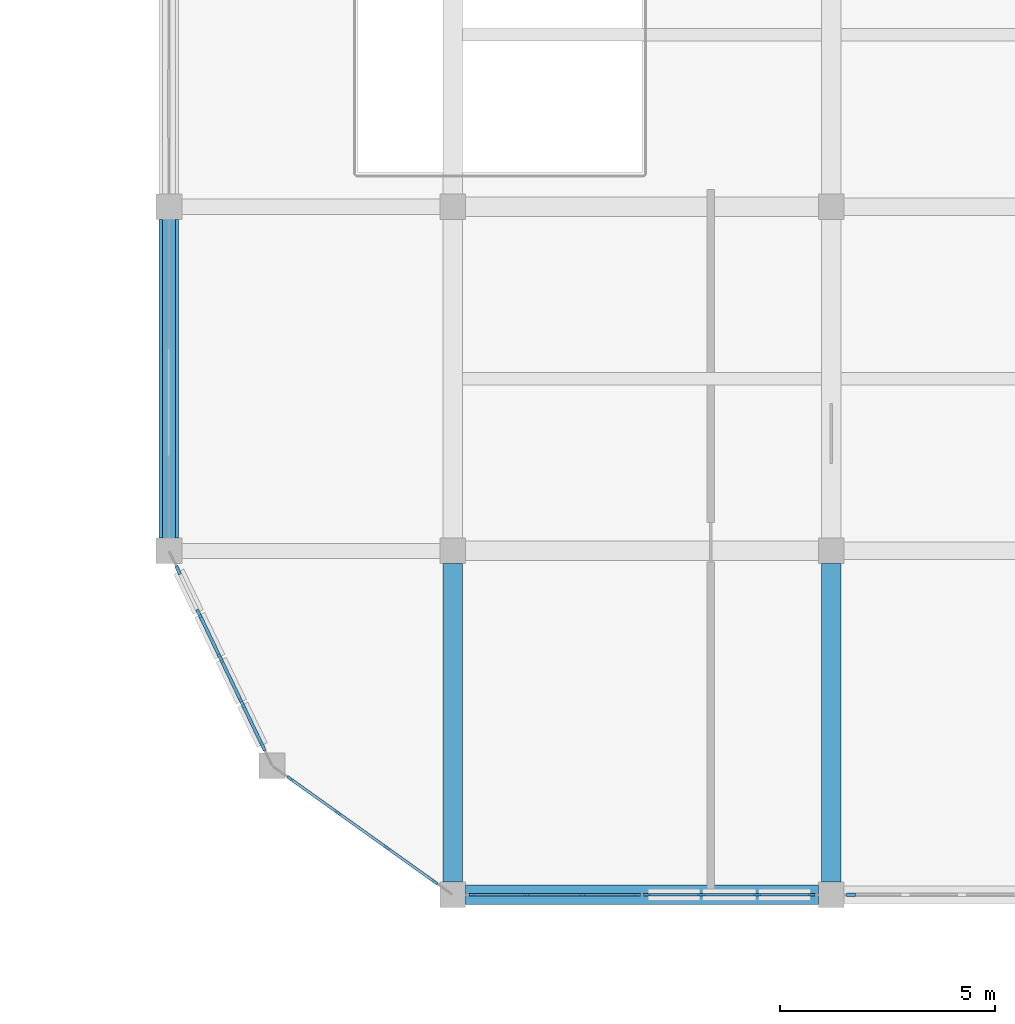
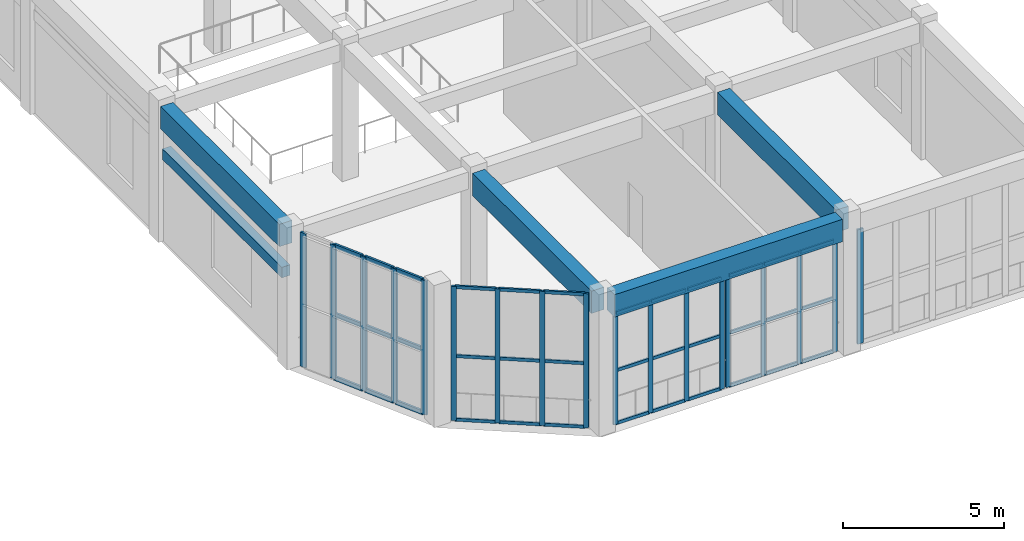
# One storey, part 21 of 64: 54 members, 5 beams, 5 elements without a shape of their own.
"""IFC4 building model written with IfcOpenShell, lengths in metres."""

import ifcopenshell
import ifcopenshell.guid

model = None  # the IFC model being written
_history = None  # IfcOwnerHistory: only IFC2X3 demands one
_inside = {}  # id of a spatial element -> (the spatial element, [elements in it])
_under = {}  # id of a project, library or spatial element -> (it, [spatial elements below it])
_declared = {}  # id of a project -> (the project, [libraries it declares])
_typed = {}  # id of a type object -> (the type object, [elements of that type])
_made_of = {}  # id of a material, layer set ... -> (it, [elements and type objects made of it])


def new_model(schema):
    """Start an empty IFC model of exactly this schema.

    Asked for "IFC4X3", IfcOpenShell would pick the latest addendum, in which some entities
    have other attributes; the version numbers below select the first issue.
    IFC2X3 requires an IfcOwnerHistory on every rooted entity: one is made here for all.
    """
    global model, _history
    if schema == "IFC4X3":
        model = ifcopenshell.file(schema_version=(4, 3, 0, 0))
    else:
        model = ifcopenshell.file(schema=schema)
    _inside.clear()
    _under.clear()
    _declared.clear()
    _typed.clear()
    _made_of.clear()
    _history = None
    if model.schema == "IFC2X3":
        org = make("IfcOrganization", Name="unknown")
        user = make(
            "IfcPersonAndOrganization",
            ThePerson=make("IfcPerson", FamilyName="unknown"),
            TheOrganization=org,
        )
        app = make(
            "IfcApplication",
            ApplicationDeveloper=org,
            Version="unknown",
            ApplicationFullName="unknown",
            ApplicationIdentifier="unknown",
        )
        _history = make(
            "IfcOwnerHistory",
            OwningUser=user,
            OwningApplication=app,
            ChangeAction="ADDED",
            CreationDate=0,
        )
    return model


def make(cls, **values):
    """One entity of the class cls with the attributes given. An attribute that is None is left unset."""
    return model.create_entity(
        cls, **{name: value for name, value in values.items() if value is not None}
    )


def rooted(cls, **values):
    """An entity with a GlobalId (a new one), such as an element, a storey or a relation."""
    return make(cls, GlobalId=ifcopenshell.guid.new(), OwnerHistory=_history, **values)


def si_unit(unit_type, name, prefix=None):
    """IfcSIUnit, for example si_unit("LENGTHUNIT", "METRE", prefix="MILLI")."""
    return make("IfcSIUnit", UnitType=unit_type, Prefix=prefix, Name=name)


def assignment(units):
    """IfcUnitAssignment: the units of a project."""
    return None if units is None else make("IfcUnitAssignment", Units=units)


def point(xyz):
    """IfcCartesianPoint."""
    return None if xyz is None else make("IfcCartesianPoint", Coordinates=xyz)


def direction(xyz):
    """IfcDirection."""
    return None if xyz is None else make("IfcDirection", DirectionRatios=xyz)


def frame(location, z_axis=None, x_axis=None):
    """IfcAxis2Placement3D, a coordinate frame: its origin and axes. An axis left out is left unset."""
    return make(
        "IfcAxis2Placement3D",
        Location=point(location),
        Axis=direction(z_axis),
        RefDirection=direction(x_axis),
    )


def frame_2d(location, x_axis=None):
    """IfcAxis2Placement2D, a coordinate frame in the plane: its origin and x axis."""
    return make(
        "IfcAxis2Placement2D", Location=point(location), RefDirection=direction(x_axis)
    )


def origin():
    """The frame at (0, 0, 0) with its axes left unset."""
    return frame((0.0, 0.0, 0.0))


def origin_2d():
    """The frame at (0, 0) in the plane with its x axis left unset."""
    return frame_2d((0.0, 0.0))


def place(relative_to, where):
    """IfcLocalPlacement: puts the frame where relative to a parent placement (None: the world)."""
    return make(
        "IfcLocalPlacement", PlacementRelTo=relative_to, RelativePlacement=where
    )


def context(
    kind, dimensions, precision=None, world=None, true_north=None, identifier=None
):
    """IfcGeometricRepresentationContext, for example the 3D "Model" context."""
    return make(
        "IfcGeometricRepresentationContext",
        ContextIdentifier=identifier,
        ContextType=kind,
        CoordinateSpaceDimension=dimensions,
        Precision=precision,
        WorldCoordinateSystem=world,
        TrueNorth=true_north,
    )


def subcontext(parent, identifier, kind, view, scale=None):
    """IfcGeometricRepresentationSubContext, for example "Body" below "Model"."""
    return make(
        "IfcGeometricRepresentationSubContext",
        ContextIdentifier=identifier,
        ContextType=kind,
        ParentContext=parent,
        TargetScale=scale,
        TargetView=view,
    )


def project(units=None, contexts=None):
    """IfcProject with its units and contexts."""
    return rooted(
        "IfcProject",
        Name="project",
        RepresentationContexts=contexts,
        UnitsInContext=assignment(units),
    )


def spatial(cls, under=None, at=None, **own):
    """A site, building, storey or space (cls), placed at a placement, below another one or the project."""
    s = rooted(cls, ObjectPlacement=at, **own)
    if under is not None:
        _under.setdefault(under.id(), (under, []))[1].append(s)
    return s


def profile(cls, at=None, kind="AREA", **sizes):
    """A parametric profile (cls). Its sizes go by their IFC names, for example OverallWidth=200.0."""
    return make(cls, ProfileType=kind, Position=at, **sizes)


def rectangle(**sizes):
    """IfcRectangleProfileDef."""
    return profile("IfcRectangleProfileDef", **sizes)


def extrude(swept, where, along, depth):
    """IfcExtrudedAreaSolid: the profile swept, set in the frame where, extruded along a direction by depth."""
    return make(
        "IfcExtrudedAreaSolid",
        SweptArea=swept,
        Position=where,
        ExtrudedDirection=direction(along),
        Depth=depth,
    )


def shape(context_of_items, identifier, shape_type, items):
    """IfcShapeRepresentation: the items that make up one representation, for example the "Body"."""
    return make(
        "IfcShapeRepresentation",
        ContextOfItems=context_of_items,
        RepresentationIdentifier=identifier,
        RepresentationType=shape_type,
        Items=items,
    )


def material(Name=None, Category=None):
    """IfcMaterial."""
    return make("IfcMaterial", Name=Name, Category=Category)


def layer(
    of_material, thickness, ventilated=None, Name=None, Category=None, Priority=None
):
    """IfcMaterialLayer: one layer of a wall or slab, of a material (None: an air gap)."""
    return make(
        "IfcMaterialLayer",
        Material=of_material,
        LayerThickness=thickness,
        IsVentilated=ventilated,
        Name=Name,
        Category=Category,
        Priority=Priority,
    )


def layer_set(layers, Name=None):
    """IfcMaterialLayerSet."""
    return make("IfcMaterialLayerSet", MaterialLayers=layers, LayerSetName=Name)


def material_profile(
    of_material, cross_section, Name=None, Category=None, Priority=None
):
    """IfcMaterialProfile: a cross section and its material."""
    return make(
        "IfcMaterialProfile",
        Name=Name,
        Material=of_material,
        Profile=cross_section,
        Priority=Priority,
        Category=Category,
    )


def profile_set(profiles, Name=None, composite=None):
    """IfcMaterialProfileSet."""
    return make(
        "IfcMaterialProfileSet",
        Name=Name,
        MaterialProfiles=profiles,
        CompositeProfile=composite,
    )


def made_of(thing, what):
    """Note that an element or type object is made of a material, layer set ...; save() writes the relation."""
    if what is not None:
        _made_of.setdefault(what.id(), (what, []))[1].append(thing)
    return thing


def type_object(cls, material=None, **own):
    """A type object (cls), such as IfcWallType, which elements share."""
    return made_of(rooted(cls, **own), material)


def element(
    cls,
    number,
    at=None,
    inside=None,
    cuts=None,
    type_object=None,
    material=None,
    context=None,
    identifier="Body",
    shape_type=None,
    held_by="IfcProductDefinitionShape",
    body=None,
    shapes=None,
    **own,
):
    """One element of the class cls, such as IfcWall. Its Tag is "e" and its number.

    at: its placement. inside: the storey or other place that contains it. cuts: it is an
    opening in that element (IfcRelVoidsElement). A single representation is given by context,
    identifier, shape_type and body (its items); several are given by shapes. held_by: the class
    of the entity that holds the representations. save() writes the other relations.
    """
    e = rooted(cls, Tag="e%d" % number, ObjectPlacement=at, **own)
    if body is not None:
        shapes = [shape(context, identifier, shape_type, body)]
    if shapes is not None:
        e.Representation = make(held_by, Representations=shapes)
    if inside is not None:
        _inside.setdefault(inside.id(), (inside, []))[1].append(e)
    if cuts is not None:
        rooted(
            "IfcRelVoidsElement", RelatingBuildingElement=cuts, RelatedOpeningElement=e
        )
    if type_object is not None:
        _typed.setdefault(type_object.id(), (type_object, []))[1].append(e)
    return made_of(e, material)


def aggregate(whole, parts):
    """IfcRelAggregates: a whole, such as a stair, and the parts it consists of."""
    return rooted("IfcRelAggregates", RelatingObject=whole, RelatedObjects=parts)


def save(model, path):
    """Write the relations noted so far, then the file.

    IfcRelAggregates (storeys below a building ...), IfcRelContainedInSpatialStructure (elements
    in a storey), IfcRelDefinesByType, IfcRelAssociatesMaterial and IfcRelDeclares: one each for
    every whole, place, type object, material and project.
    """
    for whole, parts in _under.values():
        aggregate(whole, parts)
    for where, things in _inside.values():
        rooted(
            "IfcRelContainedInSpatialStructure",
            RelatedElements=things,
            RelatingStructure=where,
        )
    for kind, things in _typed.values():
        rooted("IfcRelDefinesByType", RelatedObjects=things, RelatingType=kind)
    for what, things in _made_of.values():
        rooted("IfcRelAssociatesMaterial", RelatedObjects=things, RelatingMaterial=what)
    for by, libraries in _declared.values():
        rooted("IfcRelDeclares", RelatingContext=by, RelatedDefinitions=libraries)
    model.write(path)


model = new_model("IFC4")

# Units and contexts
model_context = context("Model", 3, precision=1e-05, world=origin(), true_north=direction((0.0, 1.0)))
body_context = subcontext(model_context, "Body", "Model", "MODEL_VIEW")
ifc_project = project(units=[si_unit("LENGTHUNIT", "METRE"), si_unit("AREAUNIT", "SQUARE_METRE"), si_unit("VOLUMEUNIT", "CUBIC_METRE"), si_unit("PLANEANGLEUNIT", "RADIAN"), si_unit("MASSUNIT", "GRAM", prefix="KILO")], contexts=[model_context])

# Site, building, storey
site_placement = place(None, origin())
site = spatial("IfcSite", under=ifc_project, at=site_placement, CompositionType="ELEMENT")
building_placement = place(site_placement, origin())
building = spatial("IfcBuilding", under=site, at=building_placement, Name="Cinchona Park Media Centre", CompositionType="ELEMENT")
storey_placement = place(building_placement, frame((0.0, 0.0, 10.199951171875)))
storey = spatial("IfcBuildingStorey", under=building, at=storey_placement, Name="L02", CompositionType="ELEMENT", Elevation=10.199951171875)

# Beams
ifc_material_1 = material(Name="Concrete C35/45", Category="concrete")
ifc_material_profile_1 = material_profile(ifc_material_1, rectangle(XDim=0.449951171875, YDim=0.85009765625, at=origin_2d()), Name="RB 450X850")
ifc_profile_set_1 = profile_set([ifc_material_profile_1], Name="Concrete C35/45")
beam_type_1 = type_object("IfcBeamType", Name="BEAM-B02-RB450X850", PredefinedType="BEAM", material=ifc_profile_set_1)
beam_1_placement = place(storey_placement, frame((156.10009765625, 7.60009765625, 4.72509765625), z_axis=(1.0, 0.0, 0.0), x_axis=(0.0, 1.0, 0.0)))
element("IfcBeam", 1, at=beam_1_placement, inside=storey, type_object=beam_type_1, Name="Beam B02 L02", PredefinedType="BEAM", context=body_context, shape_type="SweptSolid", body=[
    extrude(rectangle(XDim=0.449951171875, YDim=0.85009765625, at=origin_2d()), origin(), (0.0, 0.0, 1.0), 8.199951171875),
])
for number, where, z_axis, x_axis, name in (
    (2, (149.199951171875, 15.89990234375, 4.72509765625), (0.0, 1.0, 0.0), (-1.0, 0.0, 0.0), "Girder B02 L02"),
    (3, (155.800048828125, 7.89990234375, 4.72509765625), (0.0, 1.0, 0.0), (-1.0, 0.0, 0.0), "Girder B02 L02"),
    (4, (164.60009765625, 7.89990234375, 4.72509765625), (0.0, 1.0, 0.0), (-1.0, 0.0, 0.0), "Girder B02 L02"),
):
    element("IfcBeam", number, at=place(storey_placement, frame(where, z_axis=z_axis, x_axis=x_axis)), inside=storey, type_object=beam_type_1, Name=name, PredefinedType="BEAM", context=body_context, shape_type="SweptSolid", body=[
        extrude(rectangle(XDim=0.449951171875, YDim=0.85009765625, at=origin_2d()), origin(), (0.0, 0.0, 1.0), 7.400146484375),
    ])
ifc_material_2 = material(Name="Concrete C35/45", Category="concrete")
ifc_material_profile_2 = material_profile(ifc_material_2, rectangle(XDim=0.300048828125, YDim=0.39990234375, at=origin_2d()), Name="RL 300X400")
ifc_profile_set_2 = profile_set([ifc_material_profile_2], Name="Concrete C35/45")
beam_type_2 = type_object("IfcBeamType", Name="BEAM-LN02-RL300X400", PredefinedType="LINTEL", material=ifc_profile_set_2)
beam_2_placement = place(storey_placement, frame((149.199951171875, 15.8798828125, 3.300048828125), z_axis=(0.0, 1.0, 0.0), x_axis=(-1.0, 0.0, 0.0)))
element("IfcBeam", 5, at=beam_2_placement, inside=storey, type_object=beam_type_2, Name="Window Lintel LN02", PredefinedType="LINTEL", context=body_context, shape_type="SweptSolid", body=[
    extrude(rectangle(XDim=0.300048828125, YDim=0.39990234375, at=origin_2d()), origin(), (0.0, 0.0, 1.0), 7.440185546875),
])

# Curtain wall, members
ifc_material_3 = material(Name="Aluminium Curtain Wall Framing", Category="aluminium")
ifc_layer_1 = layer(ifc_material_3, 0.22509765625)
ifc_layer_set_1 = layer_set([ifc_layer_1], Name="Aluminium Curtain Wall Framing")
curtain_wall_type_1 = type_object("IfcCurtainWallType", Name="CW-CW04", PredefinedType="USERDEFINED", material=ifc_layer_set_1)
curtain_wall_1_placement = place(storey_placement, origin())
curtain_wall_1 = element("IfcCurtainWall", 6, at=curtain_wall_1_placement, inside=storey, type_object=curtain_wall_type_1, Name="Curtain Wall CW04 L02", ObjectType="UNITISED CURTAIN WALL", PredefinedType="USERDEFINED")
ifc_material_4 = material(Name="Anodised Aluminium Alloy 6063-T6", Category="aluminium")
ifc_material_profile_3 = material_profile(ifc_material_4, rectangle(XDim=0.06494140625, YDim=0.159912109375, at=origin_2d()), Name="MUL-65X160")
ifc_profile_set_3 = profile_set([ifc_material_profile_3], Name="Anodised Aluminium Alloy 6063-T6")
member_type_1 = type_object("IfcMemberType", Name="MULLION-MUL01", PredefinedType="MULLION", material=ifc_profile_set_3)
member_1_placement = place(storey_placement, frame((164.1474609375, 7.60009765625, 0.050048828125), z_axis=(0.0, 0.0, 1.0), x_axis=(0.0, -1.0, 0.0)))
member_1 = element("IfcMember", 7, at=member_1_placement, type_object=member_type_1, Name="CW04 mullion 1", PredefinedType="MULLION", context=body_context, shape_type="SweptSolid", body=[
    extrude(rectangle(XDim=0.06494140625, YDim=0.159912109375, at=origin_2d()), origin(), (0.0, 0.0, 1.0), 4.25),
])
member_2_placement = place(storey_placement, frame((162.8798828125, 7.60009765625, 0.050048828125), z_axis=(0.0, 0.0, 1.0), x_axis=(0.0, -1.0, 0.0)))
member_2 = element("IfcMember", 8, at=member_2_placement, type_object=member_type_1, Name="CW04 mullion 2", PredefinedType="MULLION", context=body_context, shape_type="SweptSolid", body=[
    extrude(rectangle(XDim=0.06494140625, YDim=0.159912109375, at=origin_2d()), origin(), (0.0, 0.0, 1.0), 4.25),
])
member_3_placement = place(storey_placement, frame((161.580078125, 7.60009765625, 0.050048828125), z_axis=(0.0, 0.0, 1.0), x_axis=(0.0, -1.0, 0.0)))
member_3 = element("IfcMember", 9, at=member_3_placement, type_object=member_type_1, Name="CW04 mullion 3", PredefinedType="MULLION", context=body_context, shape_type="SweptSolid", body=[
    extrude(rectangle(XDim=0.06494140625, YDim=0.159912109375, at=origin_2d()), origin(), (0.0, 0.0, 1.0), 4.25),
])
member_4_placement = place(storey_placement, frame((160.3125, 7.60009765625, 0.050048828125), z_axis=(0.0, 0.0, 1.0), x_axis=(0.0, -1.0, 0.0)))
member_4 = element("IfcMember", 10, at=member_4_placement, type_object=member_type_1, Name="CW04 mullion 4", PredefinedType="MULLION", context=body_context, shape_type="SweptSolid", body=[
    extrude(rectangle(XDim=0.06494140625, YDim=0.159912109375, at=origin_2d()), origin(), (0.0, 0.0, 1.0), 4.25),
])

ifc_material_5 = material(Name="Aluminium Curtain Wall Framing", Category="aluminium")
ifc_layer_2 = layer(ifc_material_5, 0.239990234375)
ifc_layer_set_2 = layer_set([ifc_layer_2], Name="Aluminium Curtain Wall Framing")
curtain_wall_type_2 = type_object("IfcCurtainWallType", Name="CW-CW05", PredefinedType="USERDEFINED", material=ifc_layer_set_2)
curtain_wall_2_placement = place(storey_placement, origin())
curtain_wall_2 = element("IfcCurtainWall", 11, at=curtain_wall_2_placement, inside=storey, type_object=curtain_wall_type_2, Name="Curtain Wall CW05 L02", ObjectType="UNITISED CURTAIN WALL", PredefinedType="USERDEFINED")
member_5_placement = place(storey_placement, frame((160.08740234375, 7.60009765625, 0.050048828125), z_axis=(0.0, 0.0, 1.0), x_axis=(0.0, -1.0, 0.0)))
member_5 = element("IfcMember", 12, at=member_5_placement, type_object=member_type_1, Name="CW05 mullion 1", PredefinedType="MULLION", context=body_context, shape_type="SweptSolid", body=[
    extrude(rectangle(XDim=0.06494140625, YDim=0.159912109375, at=origin_2d()), origin(), (0.0, 0.0, 1.0), 4.25),
])
member_6_placement = place(storey_placement, frame((158.820068359375, 7.60009765625, 0.050048828125), z_axis=(0.0, 0.0, 1.0), x_axis=(0.0, -1.0, 0.0)))
member_6 = element("IfcMember", 13, at=member_6_placement, type_object=member_type_1, Name="CW05 mullion 2", PredefinedType="MULLION", context=body_context, shape_type="SweptSolid", body=[
    extrude(rectangle(XDim=0.06494140625, YDim=0.159912109375, at=origin_2d()), origin(), (0.0, 0.0, 1.0), 4.25),
])
member_7_placement = place(storey_placement, frame((157.52001953125, 7.60009765625, 0.050048828125), z_axis=(0.0, 0.0, 1.0), x_axis=(0.0, -1.0, 0.0)))
member_7 = element("IfcMember", 14, at=member_7_placement, type_object=member_type_1, Name="CW05 mullion 3", PredefinedType="MULLION", context=body_context, shape_type="SweptSolid", body=[
    extrude(rectangle(XDim=0.06494140625, YDim=0.159912109375, at=origin_2d()), origin(), (0.0, 0.0, 1.0), 4.25),
])
member_8_placement = place(storey_placement, frame((156.25244140625, 7.60009765625, 0.050048828125), z_axis=(0.0, 0.0, 1.0), x_axis=(0.0, -1.0, 0.0)))
member_8 = element("IfcMember", 15, at=member_8_placement, type_object=member_type_1, Name="CW05 mullion 4", PredefinedType="MULLION", context=body_context, shape_type="SweptSolid", body=[
    extrude(rectangle(XDim=0.06494140625, YDim=0.159912109375, at=origin_2d()), origin(), (0.0, 0.0, 1.0), 4.25),
])

ifc_material_6 = material(Name="Aluminium Curtain Wall Framing", Category="aluminium")
ifc_layer_3 = layer(ifc_material_6, 0.27001953125)
ifc_layer_set_3 = layer_set([ifc_layer_3], Name="Aluminium Curtain Wall Framing")
curtain_wall_type_3 = type_object("IfcCurtainWallType", Name="CW-CW07", PredefinedType="USERDEFINED", material=ifc_layer_set_3)
curtain_wall_3_placement = place(storey_placement, origin())
curtain_wall_3 = element("IfcCurtainWall", 16, at=curtain_wall_3_placement, inside=storey, type_object=curtain_wall_type_3, Name="Curtain Wall CW07 L02", ObjectType="UNITISED CURTAIN WALL", PredefinedType="USERDEFINED")
member_9_placement = place(storey_placement, frame((155.383544921875, 7.89697265625, 0.050048828125), z_axis=(0.0, 0.0, 1.0), x_axis=(-0.581418209016, -0.813604858776, 0.0)))
member_9 = element("IfcMember", 17, at=member_9_placement, type_object=member_type_1, Name="CW07 mullion 1", PredefinedType="MULLION", context=body_context, shape_type="SweptSolid", body=[
    extrude(rectangle(XDim=0.06494140625, YDim=0.159912109375, at=origin_2d()), origin(), (0.0, 0.0, 1.0), 5.10009765625),
])
member_10_placement = place(storey_placement, frame((154.27001953125, 8.692626953125, 0.050048828125), z_axis=(0.0, 0.0, 1.0), x_axis=(-0.581418209016, -0.813604858776, 0.0)))
member_10 = element("IfcMember", 18, at=member_10_placement, type_object=member_type_1, Name="CW07 mullion 2", PredefinedType="MULLION", context=body_context, shape_type="SweptSolid", body=[
    extrude(rectangle(XDim=0.06494140625, YDim=0.159912109375, at=origin_2d()), origin(), (0.0, 0.0, 1.0), 5.10009765625),
])
member_11_placement = place(storey_placement, frame((153.1298828125, 9.50732421875, 0.050048828125), z_axis=(0.0, 0.0, 1.0), x_axis=(-0.581418209016, -0.813604858776, 0.0)))
member_11 = element("IfcMember", 19, at=member_11_placement, type_object=member_type_1, Name="CW07 mullion 3", PredefinedType="MULLION", context=body_context, shape_type="SweptSolid", body=[
    extrude(rectangle(XDim=0.06494140625, YDim=0.159912109375, at=origin_2d()), origin(), (0.0, 0.0, 1.0), 5.10009765625),
])
member_12_placement = place(storey_placement, frame((152.016357421875, 10.30322265625, 0.050048828125), z_axis=(0.0, 0.0, 1.0), x_axis=(-0.581418209016, -0.813604858776, 0.0)))
member_12 = element("IfcMember", 20, at=member_12_placement, type_object=member_type_1, Name="CW07 mullion 4", PredefinedType="MULLION", context=body_context, shape_type="SweptSolid", body=[
    extrude(rectangle(XDim=0.06494140625, YDim=0.159912109375, at=origin_2d()), origin(), (0.0, 0.0, 1.0), 5.10009765625),
])

ifc_material_7 = material(Name="Aluminium Curtain Wall Framing", Category="aluminium")
ifc_layer_4 = layer(ifc_material_7, 0.2099609375)
ifc_layer_set_4 = layer_set([ifc_layer_4], Name="Aluminium Curtain Wall Framing")
curtain_wall_type_4 = type_object("IfcCurtainWallType", Name="CW-CW03", PredefinedType="USERDEFINED", material=ifc_layer_set_4)
curtain_wall_4_placement = place(storey_placement, origin())
curtain_wall_4 = element("IfcCurtainWall", 21, at=curtain_wall_4_placement, inside=storey, type_object=curtain_wall_type_4, Name="Curtain Wall CW03 L02", ObjectType="UNITISED CURTAIN WALL", PredefinedType="USERDEFINED")
ifc_material_8 = material(Name="Anodised Aluminium Alloy 6063-T6", Category="aluminium")
ifc_material_profile_4 = material_profile(ifc_material_8, rectangle(XDim=0.074951171875, YDim=0.2099609375, at=origin_2d()), Name="MUL-75X210")
ifc_profile_set_4 = profile_set([ifc_material_profile_4], Name="Anodised Aluminium Alloy 6063-T6")
member_type_2 = type_object("IfcMemberType", Name="MULLION-MUL03", PredefinedType="MULLION", material=ifc_profile_set_4)
member_13_placement = place(storey_placement, frame((151.384765625, 11.048828125, 0.050048828125), z_axis=(0.0, 0.0, 1.0), x_axis=(-0.901489319825, -0.432801347319, 0.0)))
member_13 = element("IfcMember", 22, at=member_13_placement, type_object=member_type_2, Name="CW03 mullion 1", PredefinedType="MULLION", context=body_context, shape_type="SweptSolid", body=[
    extrude(rectangle(XDim=0.074951171875, YDim=0.2099609375, at=origin_2d()), origin(), (0.0, 0.0, 1.0), 5.10009765625),
])
member_14_placement = place(storey_placement, frame((150.900390625, 12.0576171875, 0.050048828125), z_axis=(0.0, 0.0, 1.0), x_axis=(-0.901489319825, -0.432801347319, 0.0)))
member_14 = element("IfcMember", 23, at=member_14_placement, type_object=member_type_2, Name="CW03 mullion 2", PredefinedType="MULLION", context=body_context, shape_type="SweptSolid", body=[
    extrude(rectangle(XDim=0.074951171875, YDim=0.2099609375, at=origin_2d()), origin(), (0.0, 0.0, 1.0), 5.10009765625),
])
member_15_placement = place(storey_placement, frame((150.39990234375, 13.10009765625, 0.050048828125), z_axis=(0.0, 0.0, 1.0), x_axis=(-0.901489319825, -0.432801347319, 0.0)))
member_15 = element("IfcMember", 24, at=member_15_placement, type_object=member_type_2, Name="CW03 mullion 3", PredefinedType="MULLION", context=body_context, shape_type="SweptSolid", body=[
    extrude(rectangle(XDim=0.074951171875, YDim=0.2099609375, at=origin_2d()), origin(), (0.0, 0.0, 1.0), 5.10009765625),
])
member_16_placement = place(storey_placement, frame((149.8994140625, 14.142578125, 0.050048828125), z_axis=(0.0, 0.0, 1.0), x_axis=(-0.901489319825, -0.432801347319, 0.0)))
member_16 = element("IfcMember", 25, at=member_16_placement, type_object=member_type_2, Name="CW03 mullion 4", PredefinedType="MULLION", context=body_context, shape_type="SweptSolid", body=[
    extrude(rectangle(XDim=0.074951171875, YDim=0.2099609375, at=origin_2d()), origin(), (0.0, 0.0, 1.0), 5.10009765625),
])
member_17_placement = place(storey_placement, frame((149.415283203125, 15.151123046875, 0.050048828125), z_axis=(0.0, 0.0, 1.0), x_axis=(-0.901489319825, -0.432801347319, 0.0)))
member_17 = element("IfcMember", 26, at=member_17_placement, type_object=member_type_2, Name="CW03 mullion 5", PredefinedType="MULLION", context=body_context, shape_type="SweptSolid", body=[
    extrude(rectangle(XDim=0.074951171875, YDim=0.2099609375, at=origin_2d()), origin(), (0.0, 0.0, 1.0), 5.10009765625),
])

# Curtain wall, member
ifc_material_9 = material(Name="Aluminium Curtain Wall Framing", Category="aluminium")
ifc_layer_5 = layer(ifc_material_9, 0.2548828125)
ifc_layer_set_5 = layer_set([ifc_layer_5], Name="Aluminium Curtain Wall Framing")
curtain_wall_type_5 = type_object("IfcCurtainWallType", Name="CW-CW06", PredefinedType="USERDEFINED", material=ifc_layer_set_5)
curtain_wall_5_placement = place(storey_placement, origin())
curtain_wall_5 = element("IfcCurtainWall", 27, at=curtain_wall_5_placement, inside=storey, type_object=curtain_wall_type_5, Name="Curtain Wall CW06 L02", ObjectType="UNITISED CURTAIN WALL", PredefinedType="USERDEFINED")
member_18_placement = place(storey_placement, frame((165.0576171875, 7.60009765625, 0.050048828125), z_axis=(0.0, 0.0, 1.0), x_axis=(0.0, -1.0, 0.0)))
member_18 = element("IfcMember", 28, at=member_18_placement, type_object=member_type_2, Name="CW06 mullion 6", PredefinedType="MULLION", context=body_context, shape_type="SweptSolid", body=[
    extrude(rectangle(XDim=0.074951171875, YDim=0.2099609375, at=origin_2d()), origin(), (0.0, 0.0, 1.0), 4.35009765625),
])
aggregate(curtain_wall_5, [member_18])

# Member
ifc_material_10 = material(Name="Anodised Aluminium Alloy 6063-T6", Category="aluminium")
ifc_material_profile_5 = material_profile(ifc_material_10, rectangle(XDim=0.06494140625, YDim=0.1201171875, at=origin_2d()), Name="TRN-65X120")
ifc_profile_set_5 = profile_set([ifc_material_profile_5], Name="Anodised Aluminium Alloy 6063-T6")
member_type_3 = type_object("IfcMemberType", Name="TRANSOM-TRN01", PredefinedType="USERDEFINED", material=ifc_profile_set_5)
member_19_placement = place(storey_placement, frame((164.114990234375, 7.60009765625, 0.08251953125), z_axis=(-1.0, 0.0, 0.0), x_axis=(0.0, -1.0, 0.0)))
member_19 = element("IfcMember", 29, at=member_19_placement, type_object=member_type_3, Name="CW04 transom 1.1", ObjectType="TRANSOM", PredefinedType="USERDEFINED", context=body_context, shape_type="SweptSolid", body=[
    extrude(rectangle(XDim=0.06494140625, YDim=0.1201171875, at=origin_2d()), origin(), (0.0, 0.0, 1.0), 1.202392578125),
])

member_20_placement = place(storey_placement, frame((164.114990234375, 7.60009765625, 2.090087890625), z_axis=(-1.0, 0.0, 0.0), x_axis=(0.0, -1.0, 0.0)))
member_20 = element("IfcMember", 30, at=member_20_placement, type_object=member_type_3, Name="CW04 transom 1.2", ObjectType="TRANSOM", PredefinedType="USERDEFINED", context=body_context, shape_type="SweptSolid", body=[
    extrude(rectangle(XDim=0.06494140625, YDim=0.1201171875, at=origin_2d()), origin(), (0.0, 0.0, 1.0), 1.202392578125),
])

member_21_placement = place(storey_placement, frame((164.114990234375, 7.60009765625, 4.267578125), z_axis=(-1.0, 0.0, 0.0), x_axis=(0.0, -1.0, 0.0)))
member_21 = element("IfcMember", 31, at=member_21_placement, type_object=member_type_3, Name="CW04 transom 1.3", ObjectType="TRANSOM", PredefinedType="USERDEFINED", context=body_context, shape_type="SweptSolid", body=[
    extrude(rectangle(XDim=0.06494140625, YDim=0.1201171875, at=origin_2d()), origin(), (0.0, 0.0, 1.0), 1.202392578125),
])

member_22_placement = place(storey_placement, frame((162.847412109375, 7.60009765625, 0.08251953125), z_axis=(-1.0, 0.0, 0.0), x_axis=(0.0, -1.0, 0.0)))
member_22 = element("IfcMember", 32, at=member_22_placement, type_object=member_type_3, Name="CW04 transom 2.1", ObjectType="TRANSOM", PredefinedType="USERDEFINED", context=body_context, shape_type="SweptSolid", body=[
    extrude(rectangle(XDim=0.06494140625, YDim=0.1201171875, at=origin_2d()), origin(), (0.0, 0.0, 1.0), 1.23486328125),
])

member_23_placement = place(storey_placement, frame((162.847412109375, 7.60009765625, 2.090087890625), z_axis=(-1.0, 0.0, 0.0), x_axis=(0.0, -1.0, 0.0)))
member_23 = element("IfcMember", 33, at=member_23_placement, type_object=member_type_3, Name="CW04 transom 2.2", ObjectType="TRANSOM", PredefinedType="USERDEFINED", context=body_context, shape_type="SweptSolid", body=[
    extrude(rectangle(XDim=0.06494140625, YDim=0.1201171875, at=origin_2d()), origin(), (0.0, 0.0, 1.0), 1.23486328125),
])

member_24_placement = place(storey_placement, frame((162.847412109375, 7.60009765625, 4.267578125), z_axis=(-1.0, 0.0, 0.0), x_axis=(0.0, -1.0, 0.0)))
member_24 = element("IfcMember", 34, at=member_24_placement, type_object=member_type_3, Name="CW04 transom 2.3", ObjectType="TRANSOM", PredefinedType="USERDEFINED", context=body_context, shape_type="SweptSolid", body=[
    extrude(rectangle(XDim=0.06494140625, YDim=0.1201171875, at=origin_2d()), origin(), (0.0, 0.0, 1.0), 1.23486328125),
])

member_25_placement = place(storey_placement, frame((161.547607421875, 7.60009765625, 0.08251953125), z_axis=(-1.0, 0.0, 0.0), x_axis=(0.0, -1.0, 0.0)))
member_25 = element("IfcMember", 35, at=member_25_placement, type_object=member_type_3, Name="CW04 transom 3.1", ObjectType="TRANSOM", PredefinedType="USERDEFINED", context=body_context, shape_type="SweptSolid", body=[
    extrude(rectangle(XDim=0.06494140625, YDim=0.1201171875, at=origin_2d()), origin(), (0.0, 0.0, 1.0), 1.20263671875),
])

member_26_placement = place(storey_placement, frame((161.547607421875, 7.60009765625, 2.090087890625), z_axis=(-1.0, 0.0, 0.0), x_axis=(0.0, -1.0, 0.0)))
member_26 = element("IfcMember", 36, at=member_26_placement, type_object=member_type_3, Name="CW04 transom 3.2", ObjectType="TRANSOM", PredefinedType="USERDEFINED", context=body_context, shape_type="SweptSolid", body=[
    extrude(rectangle(XDim=0.06494140625, YDim=0.1201171875, at=origin_2d()), origin(), (0.0, 0.0, 1.0), 1.20263671875),
])

member_27_placement = place(storey_placement, frame((161.547607421875, 7.60009765625, 4.267578125), z_axis=(-1.0, 0.0, 0.0), x_axis=(0.0, -1.0, 0.0)))
member_27 = element("IfcMember", 37, at=member_27_placement, type_object=member_type_3, Name="CW04 transom 3.3", ObjectType="TRANSOM", PredefinedType="USERDEFINED", context=body_context, shape_type="SweptSolid", body=[
    extrude(rectangle(XDim=0.06494140625, YDim=0.1201171875, at=origin_2d()), origin(), (0.0, 0.0, 1.0), 1.20263671875),
])

aggregate(curtain_wall_1, [member_1, member_2, member_3, member_4, member_19, member_20, member_21, member_22, member_23, member_24, member_25, member_26, member_27])

member_28_placement = place(storey_placement, frame((160.054931640625, 7.60009765625, 0.08251953125), z_axis=(-1.0, 0.0, 0.0), x_axis=(0.0, -1.0, 0.0)))
member_28 = element("IfcMember", 38, at=member_28_placement, type_object=member_type_3, Name="CW05 transom 1.1", ObjectType="TRANSOM", PredefinedType="USERDEFINED", context=body_context, shape_type="SweptSolid", body=[
    extrude(rectangle(XDim=0.06494140625, YDim=0.1201171875, at=origin_2d()), origin(), (0.0, 0.0, 1.0), 1.202392578125),
])

member_29_placement = place(storey_placement, frame((160.054931640625, 7.60009765625, 2.090087890625), z_axis=(-1.0, 0.0, 0.0), x_axis=(0.0, -1.0, 0.0)))
member_29 = element("IfcMember", 39, at=member_29_placement, type_object=member_type_3, Name="CW05 transom 1.2", ObjectType="TRANSOM", PredefinedType="USERDEFINED", context=body_context, shape_type="SweptSolid", body=[
    extrude(rectangle(XDim=0.06494140625, YDim=0.1201171875, at=origin_2d()), origin(), (0.0, 0.0, 1.0), 1.202392578125),
])

member_30_placement = place(storey_placement, frame((160.054931640625, 7.60009765625, 4.267578125), z_axis=(-1.0, 0.0, 0.0), x_axis=(0.0, -1.0, 0.0)))
member_30 = element("IfcMember", 40, at=member_30_placement, type_object=member_type_3, Name="CW05 transom 1.3", ObjectType="TRANSOM", PredefinedType="USERDEFINED", context=body_context, shape_type="SweptSolid", body=[
    extrude(rectangle(XDim=0.06494140625, YDim=0.1201171875, at=origin_2d()), origin(), (0.0, 0.0, 1.0), 1.202392578125),
])

member_31_placement = place(storey_placement, frame((158.78759765625, 7.60009765625, 0.08251953125), z_axis=(-1.0, 0.0, 0.0), x_axis=(0.0, -1.0, 0.0)))
member_31 = element("IfcMember", 41, at=member_31_placement, type_object=member_type_3, Name="CW05 transom 2.1", ObjectType="TRANSOM", PredefinedType="USERDEFINED", context=body_context, shape_type="SweptSolid", body=[
    extrude(rectangle(XDim=0.06494140625, YDim=0.1201171875, at=origin_2d()), origin(), (0.0, 0.0, 1.0), 1.235107421875),
])

member_32_placement = place(storey_placement, frame((158.78759765625, 7.60009765625, 2.090087890625), z_axis=(-1.0, 0.0, 0.0), x_axis=(0.0, -1.0, 0.0)))
member_32 = element("IfcMember", 42, at=member_32_placement, type_object=member_type_3, Name="CW05 transom 2.2", ObjectType="TRANSOM", PredefinedType="USERDEFINED", context=body_context, shape_type="SweptSolid", body=[
    extrude(rectangle(XDim=0.06494140625, YDim=0.1201171875, at=origin_2d()), origin(), (0.0, 0.0, 1.0), 1.235107421875),
])

member_33_placement = place(storey_placement, frame((158.78759765625, 7.60009765625, 4.267578125), z_axis=(-1.0, 0.0, 0.0), x_axis=(0.0, -1.0, 0.0)))
member_33 = element("IfcMember", 43, at=member_33_placement, type_object=member_type_3, Name="CW05 transom 2.3", ObjectType="TRANSOM", PredefinedType="USERDEFINED", context=body_context, shape_type="SweptSolid", body=[
    extrude(rectangle(XDim=0.06494140625, YDim=0.1201171875, at=origin_2d()), origin(), (0.0, 0.0, 1.0), 1.235107421875),
])

member_34_placement = place(storey_placement, frame((157.487548828125, 7.60009765625, 0.08251953125), z_axis=(-1.0, 0.0, 0.0), x_axis=(0.0, -1.0, 0.0)))
member_34 = element("IfcMember", 44, at=member_34_placement, type_object=member_type_3, Name="CW05 transom 3.1", ObjectType="TRANSOM", PredefinedType="USERDEFINED", context=body_context, shape_type="SweptSolid", body=[
    extrude(rectangle(XDim=0.06494140625, YDim=0.1201171875, at=origin_2d()), origin(), (0.0, 0.0, 1.0), 1.20263671875),
])

member_35_placement = place(storey_placement, frame((157.487548828125, 7.60009765625, 2.090087890625), z_axis=(-1.0, 0.0, 0.0), x_axis=(0.0, -1.0, 0.0)))
member_35 = element("IfcMember", 45, at=member_35_placement, type_object=member_type_3, Name="CW05 transom 3.2", ObjectType="TRANSOM", PredefinedType="USERDEFINED", context=body_context, shape_type="SweptSolid", body=[
    extrude(rectangle(XDim=0.06494140625, YDim=0.1201171875, at=origin_2d()), origin(), (0.0, 0.0, 1.0), 1.20263671875),
])

member_36_placement = place(storey_placement, frame((157.487548828125, 7.60009765625, 4.267578125), z_axis=(-1.0, 0.0, 0.0), x_axis=(0.0, -1.0, 0.0)))
member_36 = element("IfcMember", 46, at=member_36_placement, type_object=member_type_3, Name="CW05 transom 3.3", ObjectType="TRANSOM", PredefinedType="USERDEFINED", context=body_context, shape_type="SweptSolid", body=[
    extrude(rectangle(XDim=0.06494140625, YDim=0.1201171875, at=origin_2d()), origin(), (0.0, 0.0, 1.0), 1.20263671875),
])

aggregate(curtain_wall_2, [member_5, member_6, member_7, member_8, member_28, member_29, member_30, member_31, member_32, member_33, member_34, member_35, member_36])

member_37_placement = place(storey_placement, frame((155.357177734375, 7.915771484375, 0.08251953125), z_axis=(-0.813606930775, 0.581415309564, 0.0), x_axis=(-0.581415309564, -0.813606930775, 0.0)))
member_37 = element("IfcMember", 47, at=member_37_placement, type_object=member_type_3, Name="CW07 transom 1.1", ObjectType="TRANSOM", PredefinedType="USERDEFINED", context=body_context, shape_type="SweptSolid", body=[
    extrude(rectangle(XDim=0.06494140625, YDim=0.1201171875, at=origin_2d()), origin(), (0.0, 0.0, 1.0), 1.3037109375),
])

member_38_placement = place(storey_placement, frame((155.357177734375, 7.915771484375, 2.498046875), z_axis=(-0.813606930775, 0.581415309564, 0.0), x_axis=(-0.581415309564, -0.813606930775, 0.0)))
member_38 = element("IfcMember", 48, at=member_38_placement, type_object=member_type_3, Name="CW07 transom 1.2", ObjectType="TRANSOM", PredefinedType="USERDEFINED", context=body_context, shape_type="SweptSolid", body=[
    extrude(rectangle(XDim=0.06494140625, YDim=0.1201171875, at=origin_2d()), origin(), (0.0, 0.0, 1.0), 1.3037109375),
])

member_39_placement = place(storey_placement, frame((155.357177734375, 7.915771484375, 5.117431640625), z_axis=(-0.813606930775, 0.581415309564, 0.0), x_axis=(-0.581415309564, -0.813606930775, 0.0)))
member_39 = element("IfcMember", 49, at=member_39_placement, type_object=member_type_3, Name="CW07 transom 1.3", ObjectType="TRANSOM", PredefinedType="USERDEFINED", context=body_context, shape_type="SweptSolid", body=[
    extrude(rectangle(XDim=0.06494140625, YDim=0.1201171875, at=origin_2d()), origin(), (0.0, 0.0, 1.0), 1.3037109375),
])

member_40_placement = place(storey_placement, frame((154.24365234375, 8.711669921875, 0.08251953125), z_axis=(-0.813622346897, 0.581393736318, 0.0), x_axis=(-0.581393736318, -0.813622346897, 0.0)))
member_40 = element("IfcMember", 50, at=member_40_placement, type_object=member_type_3, Name="CW07 transom 2.1", ObjectType="TRANSOM", PredefinedType="USERDEFINED", context=body_context, shape_type="SweptSolid", body=[
    extrude(rectangle(XDim=0.06494140625, YDim=0.1201171875, at=origin_2d()), origin(), (0.0, 0.0, 1.0), 1.336181640625),
])

member_41_placement = place(storey_placement, frame((154.24365234375, 8.711669921875, 2.498046875), z_axis=(-0.813622346897, 0.581393736318, 0.0), x_axis=(-0.581393736318, -0.813622346897, 0.0)))
member_41 = element("IfcMember", 51, at=member_41_placement, type_object=member_type_3, Name="CW07 transom 2.2", ObjectType="TRANSOM", PredefinedType="USERDEFINED", context=body_context, shape_type="SweptSolid", body=[
    extrude(rectangle(XDim=0.06494140625, YDim=0.1201171875, at=origin_2d()), origin(), (0.0, 0.0, 1.0), 1.336181640625),
])

member_42_placement = place(storey_placement, frame((154.24365234375, 8.711669921875, 5.117431640625), z_axis=(-0.813622346897, 0.581393736318, 0.0), x_axis=(-0.581393736318, -0.813622346897, 0.0)))
member_42 = element("IfcMember", 52, at=member_42_placement, type_object=member_type_3, Name="CW07 transom 2.3", ObjectType="TRANSOM", PredefinedType="USERDEFINED", context=body_context, shape_type="SweptSolid", body=[
    extrude(rectangle(XDim=0.06494140625, YDim=0.1201171875, at=origin_2d()), origin(), (0.0, 0.0, 1.0), 1.336181640625),
])

member_43_placement = place(storey_placement, frame((153.103515625, 9.526123046875, 0.08251953125), z_axis=(-0.81354361717, 0.581503897632, 0.0), x_axis=(-0.581503897632, -0.81354361717, 0.0)))
member_43 = element("IfcMember", 53, at=member_43_placement, type_object=member_type_3, Name="CW07 transom 3.1", ObjectType="TRANSOM", PredefinedType="USERDEFINED", context=body_context, shape_type="SweptSolid", body=[
    extrude(rectangle(XDim=0.06494140625, YDim=0.1201171875, at=origin_2d()), origin(), (0.0, 0.0, 1.0), 1.3037109375),
])

member_44_placement = place(storey_placement, frame((153.103515625, 9.526123046875, 2.498046875), z_axis=(-0.81354361717, 0.581503897632, 0.0), x_axis=(-0.581503897632, -0.81354361717, 0.0)))
member_44 = element("IfcMember", 54, at=member_44_placement, type_object=member_type_3, Name="CW07 transom 3.2", ObjectType="TRANSOM", PredefinedType="USERDEFINED", context=body_context, shape_type="SweptSolid", body=[
    extrude(rectangle(XDim=0.06494140625, YDim=0.1201171875, at=origin_2d()), origin(), (0.0, 0.0, 1.0), 1.3037109375),
])

member_45_placement = place(storey_placement, frame((153.103515625, 9.526123046875, 5.117431640625), z_axis=(-0.81354361717, 0.581503897632, 0.0), x_axis=(-0.581503897632, -0.81354361717, 0.0)))
member_45 = element("IfcMember", 55, at=member_45_placement, type_object=member_type_3, Name="CW07 transom 3.3", ObjectType="TRANSOM", PredefinedType="USERDEFINED", context=body_context, shape_type="SweptSolid", body=[
    extrude(rectangle(XDim=0.06494140625, YDim=0.1201171875, at=origin_2d()), origin(), (0.0, 0.0, 1.0), 1.3037109375),
])

aggregate(curtain_wall_3, [member_9, member_10, member_11, member_12, member_37, member_38, member_39, member_40, member_41, member_42, member_43, member_44, member_45])

ifc_material_11 = material(Name="Anodised Aluminium Alloy 6063-T6", Category="aluminium")
ifc_material_profile_6 = material_profile(ifc_material_11, rectangle(XDim=0.074951171875, YDim=0.159912109375, at=origin_2d()), Name="TRN-75X160")
ifc_profile_set_6 = profile_set([ifc_material_profile_6], Name="Anodised Aluminium Alloy 6063-T6")
member_type_4 = type_object("IfcMemberType", Name="TRANSOM-TRN03", PredefinedType="USERDEFINED", material=ifc_profile_set_6)
member_46_placement = place(storey_placement, frame((151.36865234375, 11.08251953125, 0.087646484375), z_axis=(-0.432845097244, 0.901468314358, 0.0), x_axis=(-0.901468314358, -0.432845097244, 0.0)))
member_46 = element("IfcMember", 56, at=member_46_placement, type_object=member_type_4, Name="CW03 transom 1.1", ObjectType="TRANSOM", PredefinedType="USERDEFINED", context=body_context, shape_type="SweptSolid", body=[
    extrude(rectangle(XDim=0.074951171875, YDim=0.159912109375, at=origin_2d()), origin(), (0.0, 0.0, 1.0), 1.0439453125),
])

member_47_placement = place(storey_placement, frame((151.36865234375, 11.08251953125, 2.498046875), z_axis=(-0.432845097244, 0.901468314358, 0.0), x_axis=(-0.901468314358, -0.432845097244, 0.0)))
member_47 = element("IfcMember", 57, at=member_47_placement, type_object=member_type_4, Name="CW03 transom 1.2", ObjectType="TRANSOM", PredefinedType="USERDEFINED", context=body_context, shape_type="SweptSolid", body=[
    extrude(rectangle(XDim=0.074951171875, YDim=0.159912109375, at=origin_2d()), origin(), (0.0, 0.0, 1.0), 1.0439453125),
])

member_48_placement = place(storey_placement, frame((151.36865234375, 11.08251953125, 5.112548828125), z_axis=(-0.432845097244, 0.901468314358, 0.0), x_axis=(-0.901468314358, -0.432845097244, 0.0)))
member_48 = element("IfcMember", 58, at=member_48_placement, type_object=member_type_4, Name="CW03 transom 1.3", ObjectType="TRANSOM", PredefinedType="USERDEFINED", context=body_context, shape_type="SweptSolid", body=[
    extrude(rectangle(XDim=0.074951171875, YDim=0.159912109375, at=origin_2d()), origin(), (0.0, 0.0, 1.0), 1.0439453125),
])

member_49_placement = place(storey_placement, frame((150.88427734375, 12.09130859375, 0.087646484375), z_axis=(-0.43279712336, 0.901491347719, 0.0), x_axis=(-0.901491347719, -0.43279712336, 0.0)))
member_49 = element("IfcMember", 59, at=member_49_placement, type_object=member_type_4, Name="CW03 transom 2.1", ObjectType="TRANSOM", PredefinedType="USERDEFINED", context=body_context, shape_type="SweptSolid", body=[
    extrude(rectangle(XDim=0.074951171875, YDim=0.159912109375, at=origin_2d()), origin(), (0.0, 0.0, 1.0), 1.081298828125),
])

member_50_placement = place(storey_placement, frame((150.88427734375, 12.09130859375, 2.498046875), z_axis=(-0.43279712336, 0.901491347719, 0.0), x_axis=(-0.901491347719, -0.43279712336, 0.0)))
member_50 = element("IfcMember", 60, at=member_50_placement, type_object=member_type_4, Name="CW03 transom 2.2", ObjectType="TRANSOM", PredefinedType="USERDEFINED", context=body_context, shape_type="SweptSolid", body=[
    extrude(rectangle(XDim=0.074951171875, YDim=0.159912109375, at=origin_2d()), origin(), (0.0, 0.0, 1.0), 1.081298828125),
])

member_51_placement = place(storey_placement, frame((150.88427734375, 12.09130859375, 5.112548828125), z_axis=(-0.43279712336, 0.901491347719, 0.0), x_axis=(-0.901491347719, -0.43279712336, 0.0)))
member_51 = element("IfcMember", 61, at=member_51_placement, type_object=member_type_4, Name="CW03 transom 2.3", ObjectType="TRANSOM", PredefinedType="USERDEFINED", context=body_context, shape_type="SweptSolid", body=[
    extrude(rectangle(XDim=0.074951171875, YDim=0.159912109375, at=origin_2d()), origin(), (0.0, 0.0, 1.0), 1.081298828125),
])

member_52_placement = place(storey_placement, frame((150.3837890625, 13.1337890625, 0.087646484375), z_axis=(-0.43279712336, 0.901491347719, 0.0), x_axis=(-0.901491347719, -0.43279712336, 0.0)))
member_52 = element("IfcMember", 62, at=member_52_placement, type_object=member_type_4, Name="CW03 transom 3.1", ObjectType="TRANSOM", PredefinedType="USERDEFINED", context=body_context, shape_type="SweptSolid", body=[
    extrude(rectangle(XDim=0.074951171875, YDim=0.159912109375, at=origin_2d()), origin(), (0.0, 0.0, 1.0), 1.081298828125),
])

member_53_placement = place(storey_placement, frame((150.3837890625, 13.1337890625, 2.498046875), z_axis=(-0.43279712336, 0.901491347719, 0.0), x_axis=(-0.901491347719, -0.43279712336, 0.0)))
member_53 = element("IfcMember", 63, at=member_53_placement, type_object=member_type_4, Name="CW03 transom 3.2", ObjectType="TRANSOM", PredefinedType="USERDEFINED", context=body_context, shape_type="SweptSolid", body=[
    extrude(rectangle(XDim=0.074951171875, YDim=0.159912109375, at=origin_2d()), origin(), (0.0, 0.0, 1.0), 1.081298828125),
])

member_54_placement = place(storey_placement, frame((150.3837890625, 13.1337890625, 5.112548828125), z_axis=(-0.43279712336, 0.901491347719, 0.0), x_axis=(-0.901491347719, -0.43279712336, 0.0)))
member_54 = element("IfcMember", 64, at=member_54_placement, type_object=member_type_4, Name="CW03 transom 3.3", ObjectType="TRANSOM", PredefinedType="USERDEFINED", context=body_context, shape_type="SweptSolid", body=[
    extrude(rectangle(XDim=0.074951171875, YDim=0.159912109375, at=origin_2d()), origin(), (0.0, 0.0, 1.0), 1.081298828125),
])

aggregate(curtain_wall_4, [member_13, member_14, member_15, member_16, member_17, member_46, member_47, member_48, member_49, member_50, member_51, member_52, member_53, member_54])

save(model, "model.ifc")
